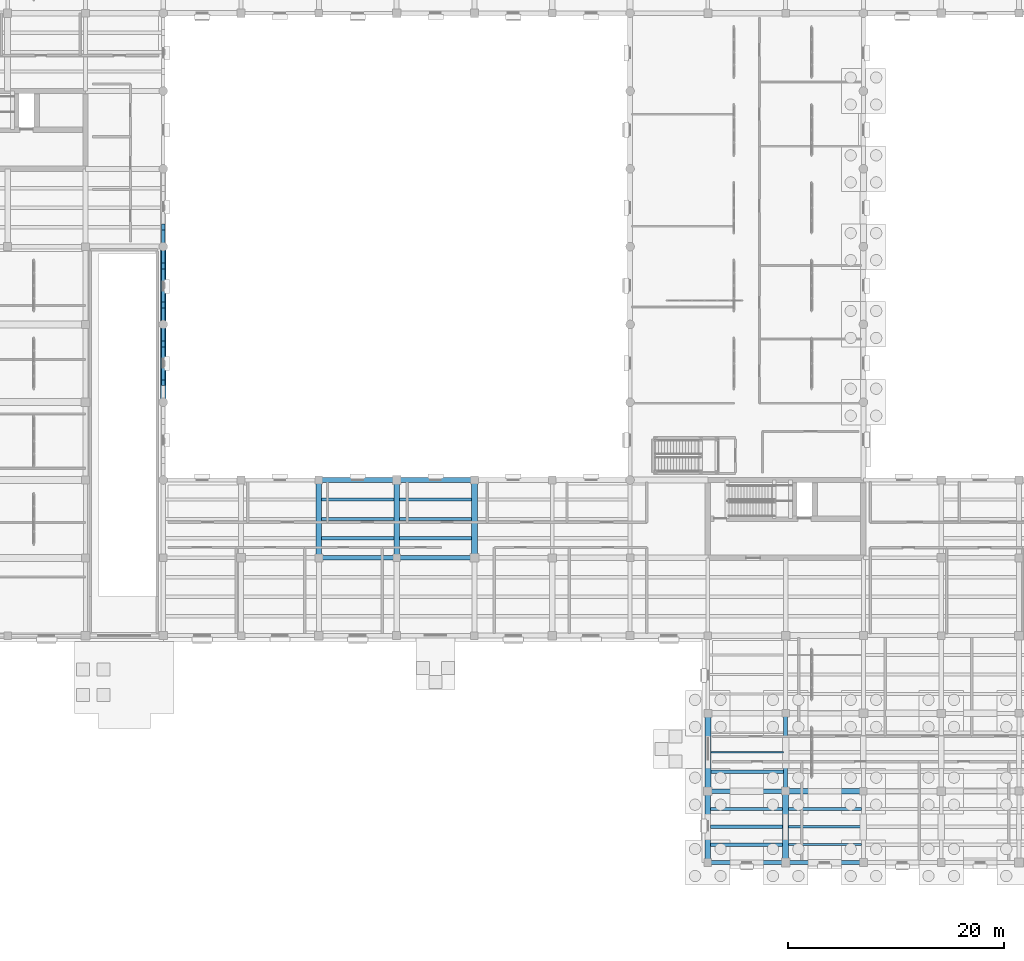
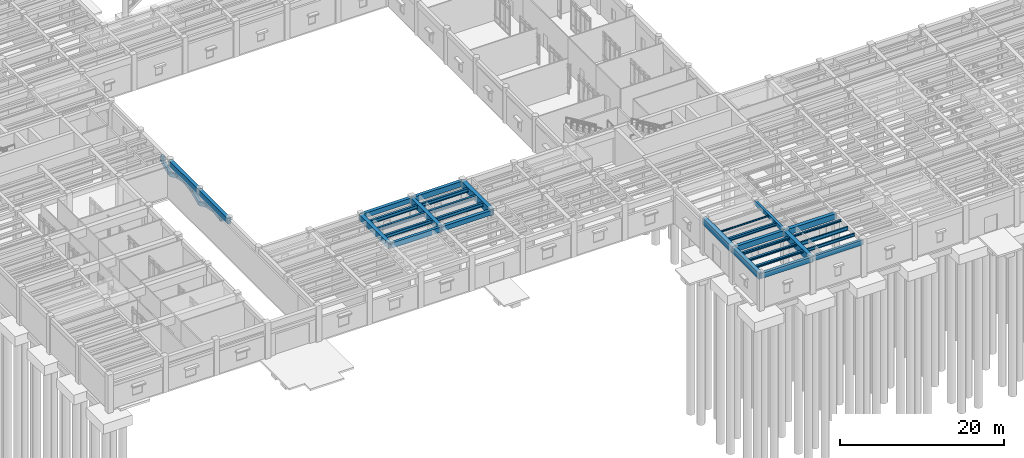
# One storey, part 13 of 100: 31 beams, 13 members.
"""IFC4 building model written with IfcOpenShell, lengths in metres."""

from ifc_helpers import new_model, si_unit, direction, frame, origin, origin_2d, place, context, subcontext, project, spatial, rectangle, i_section, extrude, material, material_profile, profile_set, type_object, element, save


model = new_model("IFC4")

# Units and contexts
model_context = context("Model", 3, precision=1e-05, world=origin(), true_north=direction((0.0, 1.0)))
body_context = subcontext(model_context, "Body", "Model", "MODEL_VIEW")
ifc_project = project(units=[si_unit("LENGTHUNIT", "METRE"), si_unit("AREAUNIT", "SQUARE_METRE"), si_unit("VOLUMEUNIT", "CUBIC_METRE"), si_unit("PLANEANGLEUNIT", "RADIAN"), si_unit("MASSUNIT", "GRAM", prefix="KILO")], contexts=[model_context])

# Site, building, storey
site_placement = place(None, origin())
site = spatial("IfcSite", under=ifc_project, at=site_placement, CompositionType="ELEMENT")
building_placement = place(site_placement, origin())
building = spatial("IfcBuilding", under=site, at=building_placement, Name="Mithqara Police Headquarters", CompositionType="ELEMENT")
storey_placement = place(building_placement, origin())
storey = spatial("IfcBuildingStorey", under=building, at=storey_placement, Name="L00", CompositionType="ELEMENT", Elevation=0.0)

# Members
ifc_material_1 = material(Name="Concrete C50/60", Category="concrete")
ifc_material_profile_1 = material_profile(ifc_material_1, rectangle(XDim=0.35009765625, YDim=0.550048828125, at=origin_2d()), Name="ARC 350x550")
ifc_profile_set_1 = profile_set([ifc_material_profile_1], Name="Concrete C50/60")
member_type = type_object("IfcMemberType", Name="ARCH SEG 350X550", PredefinedType="STRUT", material=ifc_profile_set_1)
for number, where, z_axis, x_axis, name in (
    (1, (29.39990234375, 44.39990234375, 3.76318359375), (0.0, 0.982930996603, 0.183974606715), (-1.0, 0.0, 0.0), "West Courtyard Cloister Bay 2 Ottoman Arch Chord 2"),
    (2, (29.39990234375, 46.199951171875, 4.10009765625), (0.0, 0.982930996603, -0.183974606715), (-1.0, 0.0, 0.0), "West Courtyard Cloister Bay 2 Ottoman Arch Chord 3"),
):
    element("IfcMember", number, at=place(storey_placement, frame(where, z_axis=z_axis, x_axis=x_axis)), inside=storey, type_object=member_type, Name=name, PredefinedType="STRUT", context=body_context, shape_type="SweptSolid", body=[
        extrude(rectangle(XDim=0.35009765625, YDim=0.550048828125, at=origin_2d()), origin(), (0.0, 0.0, 1.0), 1.831298828125),
    ])
member_1_placement = place(storey_placement, frame((29.39990234375, 48.0, 3.76318359375), z_axis=(0.0, 0.911312261811, -0.411715874691), x_axis=(-1.0, 0.0, 0.0)))
element("IfcMember", 3, at=member_1_placement, inside=storey, type_object=member_type, Name="West Courtyard Cloister Bay 2 Ottoman Arch Chord 4", PredefinedType="STRUT", context=body_context, shape_type="SweptSolid", body=[
    extrude(rectangle(XDim=0.35009765625, YDim=0.550048828125, at=origin_2d()), origin(), (0.0, 0.0, 1.0), 1.975341796875),
])
for number, where, z_axis, x_axis, name in (
    (4, (29.39990234375, 44.39990234375, 3.76318359375), (0.0, 0.0, 1.0), (1.0, 0.0, 0.0), "West Courtyard Cloister Bay 2 Arch Spandrel Post 1"),
    (5, (29.39990234375, 48.0, 3.76318359375), (0.0, 0.0, 1.0), (1.0, 0.0, 0.0), "West Courtyard Cloister Bay 2 Arch Spandrel Post 3"),
):
    element("IfcMember", number, at=place(storey_placement, frame(where, z_axis=z_axis, x_axis=x_axis)), inside=storey, type_object=member_type, Name=name, PredefinedType="STRUT", context=body_context, shape_type="SweptSolid", body=[
        extrude(rectangle(XDim=0.35009765625, YDim=0.550048828125, at=origin_2d()), origin(), (0.0, 0.0, 1.0), 0.931884765625),
    ])
member_2_placement = place(storey_placement, frame((29.39990234375, 49.800048828125, 2.949951171875), z_axis=(0.0, 0.911312261811, 0.411715874691), x_axis=(-1.0, 0.0, 0.0)))
element("IfcMember", 6, at=member_2_placement, inside=storey, type_object=member_type, Name="West Courtyard Cloister Bay 3 Ottoman Arch Chord 1", PredefinedType="STRUT", context=body_context, shape_type="SweptSolid", body=[
    extrude(rectangle(XDim=0.35009765625, YDim=0.550048828125, at=origin_2d()), origin(), (0.0, 0.0, 1.0), 1.975341796875),
])
member_3_placement = place(storey_placement, frame((29.39990234375, 51.60009765625, 3.76318359375), z_axis=(0.0, 0.982926483452, 0.183998717738), x_axis=(-1.0, 0.0, 0.0)))
element("IfcMember", 7, at=member_3_placement, inside=storey, type_object=member_type, Name="West Courtyard Cloister Bay 3 Ottoman Arch Chord 2", PredefinedType="STRUT", context=body_context, shape_type="SweptSolid", body=[
    extrude(rectangle(XDim=0.35009765625, YDim=0.550048828125, at=origin_2d()), origin(), (0.0, 0.0, 1.0), 1.8310546875),
])
member_4_placement = place(storey_placement, frame((29.39990234375, 53.39990234375, 4.10009765625), z_axis=(0.0, 0.982930996603, -0.183974606715), x_axis=(-1.0, 0.0, 0.0)))
element("IfcMember", 8, at=member_4_placement, inside=storey, type_object=member_type, Name="West Courtyard Cloister Bay 3 Ottoman Arch Chord 3", PredefinedType="STRUT", context=body_context, shape_type="SweptSolid", body=[
    extrude(rectangle(XDim=0.35009765625, YDim=0.550048828125, at=origin_2d()), origin(), (0.0, 0.0, 1.0), 1.831298828125),
])
member_5_placement = place(storey_placement, frame((29.39990234375, 55.199951171875, 3.76318359375), z_axis=(0.0, 0.911312261811, -0.411715874691), x_axis=(-1.0, 0.0, 0.0)))
element("IfcMember", 9, at=member_5_placement, inside=storey, type_object=member_type, Name="West Courtyard Cloister Bay 3 Ottoman Arch Chord 4", PredefinedType="STRUT", context=body_context, shape_type="SweptSolid", body=[
    extrude(rectangle(XDim=0.35009765625, YDim=0.550048828125, at=origin_2d()), origin(), (0.0, 0.0, 1.0), 1.975341796875),
])
for number, where, z_axis, x_axis, name in (
    (10, (29.39990234375, 51.60009765625, 3.76318359375), (0.0, 0.0, 1.0), (1.0, 0.0, 0.0), "West Courtyard Cloister Bay 3 Arch Spandrel Post 1"),
    (11, (29.39990234375, 55.199951171875, 3.76318359375), (0.0, 0.0, 1.0), (1.0, 0.0, 0.0), "West Courtyard Cloister Bay 3 Arch Spandrel Post 3"),
):
    element("IfcMember", number, at=place(storey_placement, frame(where, z_axis=z_axis, x_axis=x_axis)), inside=storey, type_object=member_type, Name=name, PredefinedType="STRUT", context=body_context, shape_type="SweptSolid", body=[
        extrude(rectangle(XDim=0.35009765625, YDim=0.550048828125, at=origin_2d()), origin(), (0.0, 0.0, 1.0), 0.90673828125),
    ])
member_6_placement = place(storey_placement, frame((29.39990234375, 57.0, 2.949951171875), z_axis=(0.0, 0.911312261811, 0.411715874691), x_axis=(-1.0, 0.0, 0.0)))
element("IfcMember", 12, at=member_6_placement, inside=storey, type_object=member_type, Name="West Courtyard Cloister Bay 4 Ottoman Arch Chord 1", PredefinedType="STRUT", context=body_context, shape_type="SweptSolid", body=[
    extrude(rectangle(XDim=0.35009765625, YDim=0.550048828125, at=origin_2d()), origin(), (0.0, 0.0, 1.0), 1.975341796875),
])
member_7_placement = place(storey_placement, frame((29.39990234375, 58.800048828125, 3.76318359375), z_axis=(0.0, 0.0, 1.0), x_axis=(1.0, 0.0, 0.0)))
element("IfcMember", 13, at=member_7_placement, inside=storey, type_object=member_type, Name="West Courtyard Cloister Bay 4 Arch Spandrel Post 1", PredefinedType="STRUT", context=body_context, shape_type="SweptSolid", body=[
    extrude(rectangle(XDim=0.35009765625, YDim=0.550048828125, at=origin_2d()), origin(), (0.0, 0.0, 1.0), 0.85693359375),
])

# Beams
ifc_material_2 = material(Name="Steel S355JR", Category="steel")
ifc_material_profile_2 = material_profile(ifc_material_2, i_section(OverallWidth=0.300048828125, OverallDepth=0.300048828125, WebThickness=0.010986328125, FlangeThickness=0.01904296875, FilletRadius=0.027099609375, at=origin_2d()), Name="HEB 300")
ifc_profile_set_2 = profile_set([ifc_material_profile_2], Name="Steel S355JR")
beam_type_1 = type_object("IfcBeamType", Name="BEAM HEB300", PredefinedType="BEAM", material=ifc_profile_set_2)
beam_1_placement = place(storey_placement, frame((80.050048828125, 3.300048828125, 4.969970703125), z_axis=(1.0, 0.0, 0.0), x_axis=(0.0, 1.0, 0.0)))
element("IfcBeam", 14, at=beam_1_placement, inside=storey, type_object=beam_type_1, Name="L00 Composite Steel Joist 12-13/A.2", PredefinedType="BEAM", context=body_context, shape_type="SweptSolid", body=[
    extrude(i_section(OverallWidth=0.300048828125, OverallDepth=0.300048828125, WebThickness=0.010986328125, FlangeThickness=0.01904296875, FilletRadius=0.027099609375, at=origin_2d()), origin(), (0.0, 0.0, 1.0), 6.675048828125),
])
ifc_material_profile_3 = material_profile(ifc_material_2, i_section(OverallWidth=0.300048828125, OverallDepth=0.360107421875, WebThickness=0.012451171875, FlangeThickness=0.0224609375, FilletRadius=0.027099609375, at=origin_2d()), Name="HEB 360")
ifc_profile_set_3 = profile_set([ifc_material_profile_3], Name="Steel S355JR")
beam_type_2 = type_object("IfcBeamType", Name="BEAM HEB360", PredefinedType="BEAM", material=ifc_profile_set_3)
beam_2_placement = place(storey_placement, frame((80.050048828125, 4.949951171875, 4.93994140625), z_axis=(1.0, 0.0, 0.0), x_axis=(0.0, 1.0, 0.0)))
element("IfcBeam", 15, at=beam_2_placement, inside=storey, type_object=beam_type_2, Name="L00 Composite Steel Joist 12-13/A.3", PredefinedType="BEAM", context=body_context, shape_type="SweptSolid", body=[
    extrude(i_section(OverallWidth=0.300048828125, OverallDepth=0.360107421875, WebThickness=0.012451171875, FlangeThickness=0.0224609375, FilletRadius=0.027099609375, at=origin_2d()), origin(), (0.0, 0.0, 1.0), 6.675048828125),
])
ifc_material_profile_4 = material_profile(ifc_material_2, i_section(OverallWidth=0.300048828125, OverallDepth=0.449951171875, WebThickness=0.013916015625, FlangeThickness=0.02587890625, FilletRadius=0.027099609375, at=origin_2d()), Name="HEB 450")
ifc_profile_set_4 = profile_set([ifc_material_profile_4], Name="Steel S355JR")
beam_type_3 = type_object("IfcBeamType", Name="BEAM HEB450", PredefinedType="BEAM", material=ifc_profile_set_4)
beam_3_placement = place(storey_placement, frame((80.074951171875, 8.39990234375, 4.89501953125), z_axis=(1.0, 0.0, 0.0), x_axis=(0.0, 1.0, 0.0)))
element("IfcBeam", 16, at=beam_3_placement, inside=storey, type_object=beam_type_3, Name="L00 Composite Steel Joist 12-13/B.1", PredefinedType="BEAM", context=body_context, shape_type="SweptSolid", body=[
    extrude(i_section(OverallWidth=0.300048828125, OverallDepth=0.449951171875, WebThickness=0.013916015625, FlangeThickness=0.02587890625, FilletRadius=0.027099609375, at=origin_2d()), origin(), (0.0, 0.0, 1.0), 6.75),
])
ifc_material_profile_5 = material_profile(ifc_material_2, i_section(OverallWidth=0.300048828125, OverallDepth=0.550048828125, WebThickness=0.014892578125, FlangeThickness=0.029052734375, FilletRadius=0.027099609375, at=origin_2d()), Name="HEB 550")
ifc_profile_set_5 = profile_set([ifc_material_profile_5], Name="Steel S355JR")
beam_type_4 = type_object("IfcBeamType", Name="BEAM HEB550", PredefinedType="BEAM", material=ifc_profile_set_5)
for number, where, z_axis, x_axis, name in (
    (17, (44.050048828125, 30.0, 4.844970703125), (1.0, 0.0, 0.0), (0.0, 1.0, 0.0), "L00 Composite Steel Joist 7-8/E.1"),
    (18, (44.050048828125, 31.800048828125, 4.844970703125), (1.0, 0.0, 0.0), (0.0, 1.0, 0.0), "L00 Composite Steel Joist 7-8/E.2"),
    (19, (44.050048828125, 33.60009765625, 4.844970703125), (1.0, 0.0, 0.0), (0.0, 1.0, 0.0), "L00 Composite Steel Joist 7-8/E.3"),
):
    element("IfcBeam", number, at=place(storey_placement, frame(where, z_axis=z_axis, x_axis=x_axis)), inside=storey, type_object=beam_type_4, Name=name, PredefinedType="BEAM", context=body_context, shape_type="SweptSolid", body=[
        extrude(i_section(OverallWidth=0.300048828125, OverallDepth=0.550048828125, WebThickness=0.014892578125, FlangeThickness=0.029052734375, FilletRadius=0.027099609375, at=origin_2d()), origin(), (0.0, 0.0, 1.0), 6.699951171875),
    ])
for number, where, z_axis, x_axis, name in (
    (20, (51.25, 30.0, 4.844970703125), (1.0, 0.0, 0.0), (0.0, 1.0, 0.0), "L00 Composite Steel Joist 8-9/E.1"),
    (21, (51.25, 31.800048828125, 4.844970703125), (1.0, 0.0, 0.0), (0.0, 1.0, 0.0), "L00 Composite Steel Joist 8-9/E.2"),
    (22, (51.25, 33.60009765625, 4.844970703125), (1.0, 0.0, 0.0), (0.0, 1.0, 0.0), "L00 Composite Steel Joist 8-9/E.3"),
):
    element("IfcBeam", number, at=place(storey_placement, frame(where, z_axis=z_axis, x_axis=x_axis)), inside=storey, type_object=beam_type_4, Name=name, PredefinedType="BEAM", context=body_context, shape_type="SweptSolid", body=[
        extrude(i_section(OverallWidth=0.300048828125, OverallDepth=0.550048828125, WebThickness=0.014892578125, FlangeThickness=0.029052734375, FilletRadius=0.027099609375, at=origin_2d()), origin(), (0.0, 0.0, 1.0), 6.675048828125),
    ])
ifc_material_3 = material(Name="Concrete C40/50", Category="concrete")
ifc_material_profile_6 = material_profile(ifc_material_3, rectangle(XDim=0.35009765625, YDim=0.550048828125, at=origin_2d()), Name="RC 350x550")
ifc_profile_set_6 = profile_set([ifc_material_profile_6], Name="Concrete C40/50")
beam_type_5 = type_object("IfcBeamType", Name="BEAM RC350X550", PredefinedType="BEAM", material=ifc_profile_set_6)
beam_4_placement = place(storey_placement, frame((87.0, 6.60009765625, 4.844970703125), z_axis=(0.0, 1.0, 0.0), x_axis=(-1.0, 0.0, 0.0)))
element("IfcBeam", 23, at=beam_4_placement, inside=storey, type_object=beam_type_5, Name="L00 Girder 13/B-C", PredefinedType="BEAM", context=body_context, shape_type="SweptSolid", body=[
    extrude(rectangle(XDim=0.35009765625, YDim=0.550048828125, at=origin_2d()), origin(), (0.0, 0.0, 1.0), 7.199951171875),
])
ifc_material_profile_7 = material_profile(ifc_material_3, rectangle(XDim=0.39990234375, YDim=0.75, at=origin_2d()), Name="RC 400x750")
ifc_profile_set_7 = profile_set([ifc_material_profile_7], Name="Concrete C40/50")
beam_type_6 = type_object("IfcBeamType", Name="BEAM RC400X750", PredefinedType="BEAM", material=ifc_profile_set_7)
beam_5_placement = place(storey_placement, frame((43.800048828125, 28.199951171875, 4.7451171875), z_axis=(1.0, 0.0, 0.0), x_axis=(0.0, 1.0, 0.0)))
element("IfcBeam", 24, at=beam_5_placement, inside=storey, type_object=beam_type_6, Name="L00 Girder 7-8/E", PredefinedType="BEAM", context=body_context, shape_type="SweptSolid", body=[
    extrude(rectangle(XDim=0.39990234375, YDim=0.75, at=origin_2d()), origin(), (0.0, 0.0, 1.0), 7.199951171875),
])
ifc_material_profile_8 = material_profile(ifc_material_3, rectangle(XDim=0.449951171875, YDim=0.699951171875, at=origin_2d()), Name="RC 450x700")
ifc_profile_set_8 = profile_set([ifc_material_profile_8], Name="Concrete C40/50")
beam_type_7 = type_object("IfcBeamType", Name="BEAM RC450X700", PredefinedType="BEAM", material=ifc_profile_set_8)
for number, where, z_axis, x_axis, name in (
    (25, (43.800048828125, 35.39990234375, 4.77001953125), (1.0, 0.0, 0.0), (0.0, 1.0, 0.0), "L00 Girder 7-8/F"),
    (26, (51.0, 28.199951171875, 4.77001953125), (1.0, 0.0, 0.0), (0.0, 1.0, 0.0), "L00 Girder 8-9/E"),
):
    element("IfcBeam", number, at=place(storey_placement, frame(where, z_axis=z_axis, x_axis=x_axis)), inside=storey, type_object=beam_type_7, Name=name, PredefinedType="BEAM", context=body_context, shape_type="SweptSolid", body=[
        extrude(rectangle(XDim=0.449951171875, YDim=0.699951171875, at=origin_2d()), origin(), (0.0, 0.0, 1.0), 7.199951171875),
    ])
ifc_material_profile_9 = material_profile(ifc_material_3, rectangle(XDim=0.449951171875, YDim=0.800048828125, at=origin_2d()), Name="RC 450x800")
ifc_profile_set_9 = profile_set([ifc_material_profile_9], Name="Concrete C40/50")
beam_type_8 = type_object("IfcBeamType", Name="BEAM RC450X800", PredefinedType="BEAM", material=ifc_profile_set_9)
for number, where, z_axis, x_axis, name in (
    (27, (51.0, 35.39990234375, 4.719970703125), (1.0, 0.0, 0.0), (0.0, 1.0, 0.0), "L00 Girder 8-9/F"),
    (28, (79.800048828125, 6.60009765625, 4.719970703125), (1.0, 0.0, 0.0), (0.0, 1.0, 0.0), "L00 Girder 12-13/B"),
):
    element("IfcBeam", number, at=place(storey_placement, frame(where, z_axis=z_axis, x_axis=x_axis)), inside=storey, type_object=beam_type_8, Name=name, PredefinedType="BEAM", context=body_context, shape_type="SweptSolid", body=[
        extrude(rectangle(XDim=0.449951171875, YDim=0.800048828125, at=origin_2d()), origin(), (0.0, 0.0, 1.0), 7.199951171875),
    ])
ifc_material_profile_10 = material_profile(ifc_material_3, rectangle(XDim=0.5, YDim=0.85009765625, at=origin_2d()), Name="RC 500x850")
ifc_profile_set_10 = profile_set([ifc_material_profile_10], Name="Concrete C40/50")
beam_type_9 = type_object("IfcBeamType", Name="BEAM RC500X850", PredefinedType="BEAM", material=ifc_profile_set_10)
for number, where, z_axis, x_axis, name in (
    (29, (29.39990234375, 42.60009765625, 4.695068359375), (0.0, 1.0, 0.0), (-1.0, 0.0, 0.0), "L00 Girder 5/G-H"),
    (30, (43.800048828125, 28.199951171875, 4.695068359375), (0.0, 1.0, 0.0), (-1.0, 0.0, 0.0), "L00 Girder 7/E-F"),
    (31, (87.0, 6.60009765625, 4.695068359375), (1.0, 0.0, 0.0), (0.0, 1.0, 0.0), "L00 Girder 13-14/B"),
):
    element("IfcBeam", number, at=place(storey_placement, frame(where, z_axis=z_axis, x_axis=x_axis)), inside=storey, type_object=beam_type_9, Name=name, PredefinedType="BEAM", context=body_context, shape_type="SweptSolid", body=[
        extrude(rectangle(XDim=0.5, YDim=0.85009765625, at=origin_2d()), origin(), (0.0, 0.0, 1.0), 7.199951171875),
    ])
ifc_material_profile_11 = material_profile(ifc_material_1, rectangle(XDim=0.5, YDim=0.89990234375, at=origin_2d()), Name="RC 500x900")
ifc_profile_set_11 = profile_set([ifc_material_profile_11], Name="Concrete C50/60")
beam_type_10 = type_object("IfcBeamType", Name="BEAM RC500X900", PredefinedType="BEAM", material=ifc_profile_set_11)
for number, where, z_axis, x_axis, name in (
    (32, (29.39990234375, 49.800048828125, 4.669921875), (0.0, 1.0, 0.0), (-1.0, 0.0, 0.0), "L00 Girder 5/H-J"),
    (33, (51.0, 28.199951171875, 4.669921875), (0.0, 1.0, 0.0), (-1.0, 0.0, 0.0), "L00 Girder 8/E-F"),
):
    element("IfcBeam", number, at=place(storey_placement, frame(where, z_axis=z_axis, x_axis=x_axis)), inside=storey, type_object=beam_type_10, Name=name, PredefinedType="BEAM", context=body_context, shape_type="SweptSolid", body=[
        extrude(rectangle(XDim=0.5, YDim=0.89990234375, at=origin_2d()), origin(), (0.0, 0.0, 1.0), 7.199951171875),
    ])
beam_6_placement = place(storey_placement, frame((79.800048828125, 0.0, 4.669921875), z_axis=(0.0, 1.0, 0.0), x_axis=(-1.0, 0.0, 0.0)))
element("IfcBeam", 34, at=beam_6_placement, inside=storey, type_object=beam_type_10, Name="L00 Girder 12/A-B", PredefinedType="BEAM", context=body_context, shape_type="SweptSolid", body=[
    extrude(rectangle(XDim=0.5, YDim=0.89990234375, at=origin_2d()), origin(), (0.0, 0.0, 1.0), 6.60009765625),
])
ifc_material_profile_12 = material_profile(ifc_material_1, rectangle(XDim=0.550048828125, YDim=1.0, at=origin_2d()), Name="RC 550x1000")
ifc_profile_set_12 = profile_set([ifc_material_profile_12], Name="Concrete C50/60")
beam_type_11 = type_object("IfcBeamType", Name="BEAM RC550X1000", PredefinedType="BEAM", material=ifc_profile_set_12)
for number, where, z_axis, x_axis, name in (
    (35, (58.199951171875, 28.199951171875, 4.6201171875), (0.0, 1.0, 0.0), (-1.0, 0.0, 0.0), "L00 Girder 9/E-F"),
    (36, (79.800048828125, 6.60009765625, 4.6201171875), (0.0, 1.0, 0.0), (-1.0, 0.0, 0.0), "L00 Girder 12/B-C"),
):
    element("IfcBeam", number, at=place(storey_placement, frame(where, z_axis=z_axis, x_axis=x_axis)), inside=storey, type_object=beam_type_11, Name=name, PredefinedType="BEAM", context=body_context, shape_type="SweptSolid", body=[
        extrude(rectangle(XDim=0.550048828125, YDim=1.0, at=origin_2d()), origin(), (0.0, 0.0, 1.0), 7.199951171875),
    ])
beam_7_placement = place(storey_placement, frame((87.0, 0.0, 4.6201171875), z_axis=(0.0, 1.0, 0.0), x_axis=(-1.0, 0.0, 0.0)))
element("IfcBeam", 37, at=beam_7_placement, inside=storey, type_object=beam_type_11, Name="L00 Girder 13/A-B", PredefinedType="BEAM", context=body_context, shape_type="SweptSolid", body=[
    extrude(rectangle(XDim=0.550048828125, YDim=1.0, at=origin_2d()), origin(), (0.0, 0.0, 1.0), 6.60009765625),
])
ifc_material_profile_13 = material_profile(ifc_material_2, i_section(OverallWidth=0.260009765625, OverallDepth=0.25, WebThickness=0.007568359375, FlangeThickness=0.012451171875, FilletRadius=0.02392578125, at=origin_2d()), Name="HEA 260")
ifc_profile_set_13 = profile_set([ifc_material_profile_13], Name="Steel S355JR")
beam_type_12 = type_object("IfcBeamType", Name="JOIST HEA260", PredefinedType="JOIST", material=ifc_profile_set_13)
beam_8_placement = place(storey_placement, frame((87.27490234375, 4.949951171875, 4.9951171875), z_axis=(1.0, 0.0, 0.0), x_axis=(0.0, 1.0, 0.0)))
element("IfcBeam", 38, at=beam_8_placement, inside=storey, type_object=beam_type_12, Name="L00 Composite Steel Joist 13-14/A.3", PredefinedType="JOIST", context=body_context, shape_type="SweptSolid", body=[
    extrude(i_section(OverallWidth=0.260009765625, OverallDepth=0.25, WebThickness=0.007568359375, FlangeThickness=0.012451171875, FilletRadius=0.02392578125, at=origin_2d()), origin(), (0.0, 0.0, 1.0), 6.75),
])
ifc_material_profile_14 = material_profile(ifc_material_2, i_section(OverallWidth=0.300048828125, OverallDepth=0.330078125, WebThickness=0.009521484375, FlangeThickness=0.0166015625, FilletRadius=0.027099609375, at=origin_2d()), Name="HEA 340")
ifc_profile_set_14 = profile_set([ifc_material_profile_14], Name="Steel S355JR")
beam_type_13 = type_object("IfcBeamType", Name="JOIST HEA340", PredefinedType="JOIST", material=ifc_profile_set_14)
beam_9_placement = place(storey_placement, frame((80.050048828125, 1.64990234375, 4.955078125), z_axis=(1.0, 0.0, 0.0), x_axis=(0.0, 1.0, 0.0)))
element("IfcBeam", 39, at=beam_9_placement, inside=storey, type_object=beam_type_13, Name="L00 Composite Steel Joist 12-13/A.1", PredefinedType="JOIST", context=body_context, shape_type="SweptSolid", body=[
    extrude(i_section(OverallWidth=0.300048828125, OverallDepth=0.330078125, WebThickness=0.009521484375, FlangeThickness=0.0166015625, FilletRadius=0.027099609375, at=origin_2d()), origin(), (0.0, 0.0, 1.0), 6.675048828125),
])
ifc_material_profile_15 = material_profile(ifc_material_2, i_section(OverallWidth=0.1201171875, OverallDepth=0.239990234375, WebThickness=0.006103515625, FlangeThickness=0.009765625, FilletRadius=0.014892578125, at=origin_2d()), Name="IPE 240")
ifc_profile_set_15 = profile_set([ifc_material_profile_15], Name="Steel S355JR")
beam_type_14 = type_object("IfcBeamType", Name="JOIST IPE240", PredefinedType="JOIST", material=ifc_profile_set_15)
beam_10_placement = place(storey_placement, frame((80.074951171875, 10.199951171875, 5.0), z_axis=(1.0, 0.0, 0.0), x_axis=(0.0, 1.0, 0.0)))
element("IfcBeam", 40, at=beam_10_placement, inside=storey, type_object=beam_type_14, Name="L00 Composite Steel Joist 12-13/B.2", PredefinedType="JOIST", context=body_context, shape_type="SweptSolid", body=[
    extrude(i_section(OverallWidth=0.1201171875, OverallDepth=0.239990234375, WebThickness=0.006103515625, FlangeThickness=0.009765625, FilletRadius=0.014892578125, at=origin_2d()), origin(), (0.0, 0.0, 1.0), 6.75),
])
ifc_material_profile_16 = material_profile(ifc_material_2, i_section(OverallWidth=0.18994140625, OverallDepth=0.449951171875, WebThickness=0.009521484375, FlangeThickness=0.0146484375, FilletRadius=0.02099609375, at=origin_2d()), Name="IPE 450")
ifc_profile_set_16 = profile_set([ifc_material_profile_16], Name="Steel S355JR")
beam_type_15 = type_object("IfcBeamType", Name="JOIST IPE450", PredefinedType="JOIST", material=ifc_profile_set_16)
beam_11_placement = place(storey_placement, frame((87.27490234375, 1.64990234375, 4.89501953125), z_axis=(1.0, 0.0, 0.0), x_axis=(0.0, 1.0, 0.0)))
element("IfcBeam", 41, at=beam_11_placement, inside=storey, type_object=beam_type_15, Name="L00 Composite Steel Joist 13-14/A.1", PredefinedType="JOIST", context=body_context, shape_type="SweptSolid", body=[
    extrude(i_section(OverallWidth=0.18994140625, OverallDepth=0.449951171875, WebThickness=0.009521484375, FlangeThickness=0.0146484375, FilletRadius=0.02099609375, at=origin_2d()), origin(), (0.0, 0.0, 1.0), 6.75),
])
ifc_material_profile_17 = material_profile(ifc_material_2, i_section(OverallWidth=0.2099609375, OverallDepth=0.550048828125, WebThickness=0.010986328125, FlangeThickness=0.01708984375, FilletRadius=0.02392578125, at=origin_2d()), Name="IPE 550")
ifc_profile_set_17 = profile_set([ifc_material_profile_17], Name="Steel S355JR")
beam_type_16 = type_object("IfcBeamType", Name="JOIST IPE550", PredefinedType="JOIST", material=ifc_profile_set_17)
beam_12_placement = place(storey_placement, frame((87.27490234375, 3.300048828125, 4.844970703125), z_axis=(1.0, 0.0, 0.0), x_axis=(0.0, 1.0, 0.0)))
element("IfcBeam", 42, at=beam_12_placement, inside=storey, type_object=beam_type_16, Name="L00 Composite Steel Joist 13-14/A.2", PredefinedType="JOIST", context=body_context, shape_type="SweptSolid", body=[
    extrude(i_section(OverallWidth=0.2099609375, OverallDepth=0.550048828125, WebThickness=0.010986328125, FlangeThickness=0.01708984375, FilletRadius=0.02392578125, at=origin_2d()), origin(), (0.0, 0.0, 1.0), 6.75),
])
ifc_material_profile_18 = material_profile(ifc_material_3, rectangle(XDim=0.35009765625, YDim=0.699951171875, at=origin_2d()), Name="SPB 350x700")
ifc_profile_set_18 = profile_set([ifc_material_profile_18], Name="Concrete C40/50")
beam_type_17 = type_object("IfcBeamType", Name="SPANDREL 350X700", PredefinedType="SPANDREL", material=ifc_profile_set_18)
beam_13_placement = place(storey_placement, frame((87.0, 0.0, 4.77001953125), z_axis=(1.0, 0.0, 0.0), x_axis=(0.0, 1.0, 0.0)))
element("IfcBeam", 43, at=beam_13_placement, inside=storey, type_object=beam_type_17, Name="L00 Girder 13-14/A", PredefinedType="SPANDREL", context=body_context, shape_type="SweptSolid", body=[
    extrude(rectangle(XDim=0.35009765625, YDim=0.699951171875, at=origin_2d()), origin(), (0.0, 0.0, 1.0), 7.199951171875),
])
ifc_material_profile_19 = material_profile(ifc_material_3, rectangle(XDim=0.39990234375, YDim=0.75, at=origin_2d()), Name="SPB 400x750")
ifc_profile_set_19 = profile_set([ifc_material_profile_19], Name="Concrete C40/50")
beam_type_18 = type_object("IfcBeamType", Name="SPANDREL 400X750", PredefinedType="SPANDREL", material=ifc_profile_set_19)
beam_14_placement = place(storey_placement, frame((79.800048828125, 0.0, 4.7451171875), z_axis=(1.0, 0.0, 0.0), x_axis=(0.0, 1.0, 0.0)))
element("IfcBeam", 44, at=beam_14_placement, inside=storey, type_object=beam_type_18, Name="L00 Girder 12-13/A", PredefinedType="SPANDREL", context=body_context, shape_type="SweptSolid", body=[
    extrude(rectangle(XDim=0.39990234375, YDim=0.75, at=origin_2d()), origin(), (0.0, 0.0, 1.0), 7.199951171875),
])

save(model, "model.ifc")
